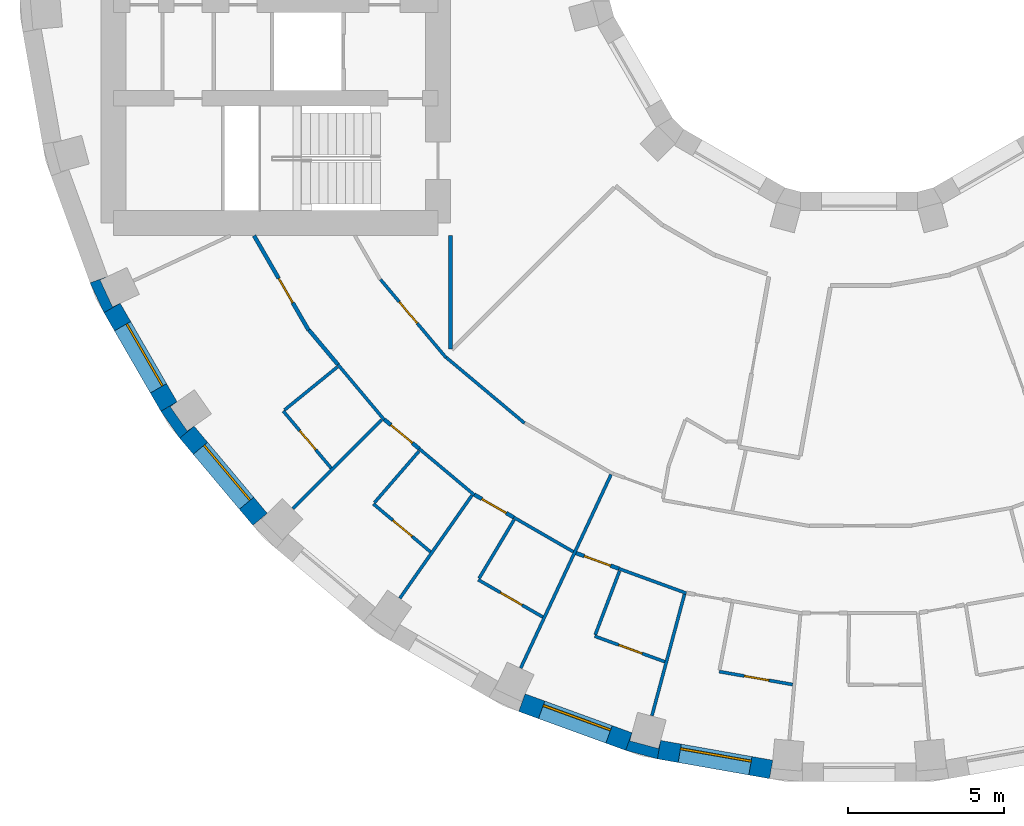
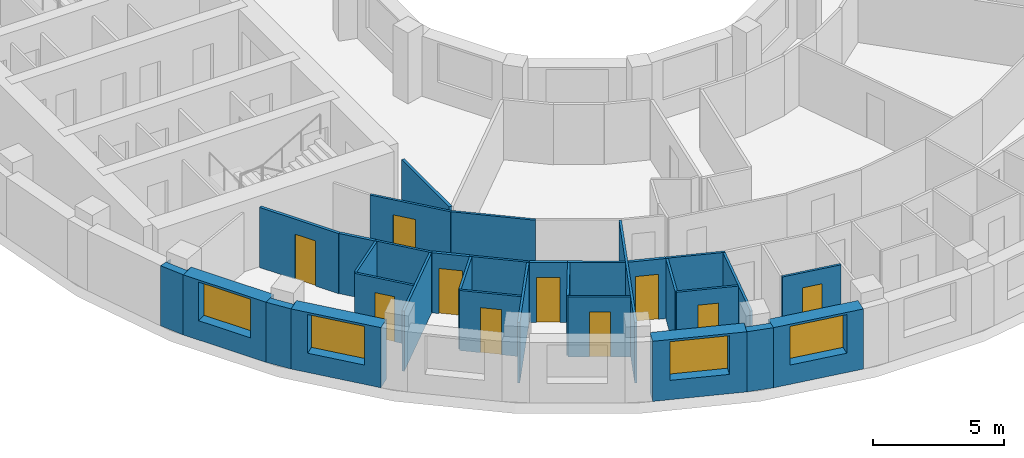
# One storey, part 4 of 14: 32 walls, 10 doors, 4 windows, 14 openings.
"""IFC4 building model written with IfcOpenShell, lengths in metres."""

import ifcopenshell
import ifcopenshell.guid

model = None  # the IFC model being written
_history = None  # IfcOwnerHistory: only IFC2X3 demands one
_inside = {}  # id of a spatial element -> (the spatial element, [elements in it])
_under = {}  # id of a project, library or spatial element -> (it, [spatial elements below it])
_declared = {}  # id of a project -> (the project, [libraries it declares])
_typed = {}  # id of a type object -> (the type object, [elements of that type])
_made_of = {}  # id of a material, layer set ... -> (it, [elements and type objects made of it])


def new_model(schema):
    """Start an empty IFC model of exactly this schema.

    Asked for "IFC4X3", IfcOpenShell would pick the latest addendum, in which some entities
    have other attributes; the version numbers below select the first issue.
    IFC2X3 requires an IfcOwnerHistory on every rooted entity: one is made here for all.
    """
    global model, _history
    if schema == "IFC4X3":
        model = ifcopenshell.file(schema_version=(4, 3, 0, 0))
    else:
        model = ifcopenshell.file(schema=schema)
    _inside.clear()
    _under.clear()
    _declared.clear()
    _typed.clear()
    _made_of.clear()
    _history = None
    if model.schema == "IFC2X3":
        org = make("IfcOrganization", Name="unknown")
        user = make(
            "IfcPersonAndOrganization",
            ThePerson=make("IfcPerson", FamilyName="unknown"),
            TheOrganization=org,
        )
        app = make(
            "IfcApplication",
            ApplicationDeveloper=org,
            Version="unknown",
            ApplicationFullName="unknown",
            ApplicationIdentifier="unknown",
        )
        _history = make(
            "IfcOwnerHistory",
            OwningUser=user,
            OwningApplication=app,
            ChangeAction="ADDED",
            CreationDate=0,
        )
    return model


def make(cls, **values):
    """One entity of the class cls with the attributes given. An attribute that is None is left unset."""
    return model.create_entity(
        cls, **{name: value for name, value in values.items() if value is not None}
    )


def rooted(cls, **values):
    """An entity with a GlobalId (a new one), such as an element, a storey or a relation."""
    return make(cls, GlobalId=ifcopenshell.guid.new(), OwnerHistory=_history, **values)


def si_unit(unit_type, name, prefix=None):
    """IfcSIUnit, for example si_unit("LENGTHUNIT", "METRE", prefix="MILLI")."""
    return make("IfcSIUnit", UnitType=unit_type, Prefix=prefix, Name=name)


def assignment(units):
    """IfcUnitAssignment: the units of a project."""
    return None if units is None else make("IfcUnitAssignment", Units=units)


def point(xyz):
    """IfcCartesianPoint."""
    return None if xyz is None else make("IfcCartesianPoint", Coordinates=xyz)


def direction(xyz):
    """IfcDirection."""
    return None if xyz is None else make("IfcDirection", DirectionRatios=xyz)


def frame(location, z_axis=None, x_axis=None):
    """IfcAxis2Placement3D, a coordinate frame: its origin and axes. An axis left out is left unset."""
    return make(
        "IfcAxis2Placement3D",
        Location=point(location),
        Axis=direction(z_axis),
        RefDirection=direction(x_axis),
    )


def frame_2d(location, x_axis=None):
    """IfcAxis2Placement2D, a coordinate frame in the plane: its origin and x axis."""
    return make(
        "IfcAxis2Placement2D", Location=point(location), RefDirection=direction(x_axis)
    )


def origin():
    """The frame at (0, 0, 0) with its axes left unset."""
    return frame((0.0, 0.0, 0.0))


def place(relative_to, where):
    """IfcLocalPlacement: puts the frame where relative to a parent placement (None: the world)."""
    return make(
        "IfcLocalPlacement", PlacementRelTo=relative_to, RelativePlacement=where
    )


def context(
    kind, dimensions, precision=None, world=None, true_north=None, identifier=None
):
    """IfcGeometricRepresentationContext, for example the 3D "Model" context."""
    return make(
        "IfcGeometricRepresentationContext",
        ContextIdentifier=identifier,
        ContextType=kind,
        CoordinateSpaceDimension=dimensions,
        Precision=precision,
        WorldCoordinateSystem=world,
        TrueNorth=true_north,
    )


def subcontext(parent, identifier, kind, view, scale=None):
    """IfcGeometricRepresentationSubContext, for example "Body" below "Model"."""
    return make(
        "IfcGeometricRepresentationSubContext",
        ContextIdentifier=identifier,
        ContextType=kind,
        ParentContext=parent,
        TargetScale=scale,
        TargetView=view,
    )


def project(units=None, contexts=None):
    """IfcProject with its units and contexts."""
    return rooted(
        "IfcProject",
        Name="project",
        RepresentationContexts=contexts,
        UnitsInContext=assignment(units),
    )


def spatial(cls, under=None, at=None, **own):
    """A site, building, storey or space (cls), placed at a placement, below another one or the project."""
    s = rooted(cls, ObjectPlacement=at, **own)
    if under is not None:
        _under.setdefault(under.id(), (under, []))[1].append(s)
    return s


def polyline(points):
    """IfcPolyline through the points."""
    return make("IfcPolyline", Points=[point(p) for p in points])


def profile(cls, at=None, kind="AREA", **sizes):
    """A parametric profile (cls). Its sizes go by their IFC names, for example OverallWidth=200.0."""
    return make(cls, ProfileType=kind, Position=at, **sizes)


def rectangle(**sizes):
    """IfcRectangleProfileDef."""
    return profile("IfcRectangleProfileDef", **sizes)


def outline(outer, holes=None, kind="AREA"):
    """IfcArbitraryClosedProfileDef: a profile drawn as a closed curve; with holes, ...WithVoids."""
    if holes is None:
        return make("IfcArbitraryClosedProfileDef", ProfileType=kind, OuterCurve=outer)
    return make(
        "IfcArbitraryProfileDefWithVoids",
        ProfileType=kind,
        OuterCurve=outer,
        InnerCurves=holes,
    )


def extrude(swept, where, along, depth):
    """IfcExtrudedAreaSolid: the profile swept, set in the frame where, extruded along a direction by depth."""
    return make(
        "IfcExtrudedAreaSolid",
        SweptArea=swept,
        Position=where,
        ExtrudedDirection=direction(along),
        Depth=depth,
    )


def shape(context_of_items, identifier, shape_type, items):
    """IfcShapeRepresentation: the items that make up one representation, for example the "Body"."""
    return make(
        "IfcShapeRepresentation",
        ContextOfItems=context_of_items,
        RepresentationIdentifier=identifier,
        RepresentationType=shape_type,
        Items=items,
    )


def material(Name=None, Category=None):
    """IfcMaterial."""
    return make("IfcMaterial", Name=Name, Category=Category)


def layer(
    of_material, thickness, ventilated=None, Name=None, Category=None, Priority=None
):
    """IfcMaterialLayer: one layer of a wall or slab, of a material (None: an air gap)."""
    return make(
        "IfcMaterialLayer",
        Material=of_material,
        LayerThickness=thickness,
        IsVentilated=ventilated,
        Name=Name,
        Category=Category,
        Priority=Priority,
    )


def layer_set(layers, Name=None):
    """IfcMaterialLayerSet."""
    return make("IfcMaterialLayerSet", MaterialLayers=layers, LayerSetName=Name)


def made_of(thing, what):
    """Note that an element or type object is made of a material, layer set ...; save() writes the relation."""
    if what is not None:
        _made_of.setdefault(what.id(), (what, []))[1].append(thing)
    return thing


def type_object(cls, material=None, **own):
    """A type object (cls), such as IfcWallType, which elements share."""
    return made_of(rooted(cls, **own), material)


def element(
    cls,
    number,
    at=None,
    inside=None,
    cuts=None,
    type_object=None,
    material=None,
    context=None,
    identifier="Body",
    shape_type=None,
    held_by="IfcProductDefinitionShape",
    body=None,
    shapes=None,
    **own,
):
    """One element of the class cls, such as IfcWall. Its Tag is "e" and its number.

    at: its placement. inside: the storey or other place that contains it. cuts: it is an
    opening in that element (IfcRelVoidsElement). A single representation is given by context,
    identifier, shape_type and body (its items); several are given by shapes. held_by: the class
    of the entity that holds the representations. save() writes the other relations.
    """
    e = rooted(cls, Tag="e%d" % number, ObjectPlacement=at, **own)
    if body is not None:
        shapes = [shape(context, identifier, shape_type, body)]
    if shapes is not None:
        e.Representation = make(held_by, Representations=shapes)
    if inside is not None:
        _inside.setdefault(inside.id(), (inside, []))[1].append(e)
    if cuts is not None:
        rooted(
            "IfcRelVoidsElement", RelatingBuildingElement=cuts, RelatedOpeningElement=e
        )
    if type_object is not None:
        _typed.setdefault(type_object.id(), (type_object, []))[1].append(e)
    return made_of(e, material)


def fill(opening, filler):
    """IfcRelFillsElement: the door or window that sits in an opening."""
    return rooted(
        "IfcRelFillsElement",
        RelatingOpeningElement=opening,
        RelatedBuildingElement=filler,
    )


def aggregate(whole, parts):
    """IfcRelAggregates: a whole, such as a stair, and the parts it consists of."""
    return rooted("IfcRelAggregates", RelatingObject=whole, RelatedObjects=parts)


def save(model, path):
    """Write the relations noted so far, then the file.

    IfcRelAggregates (storeys below a building ...), IfcRelContainedInSpatialStructure (elements
    in a storey), IfcRelDefinesByType, IfcRelAssociatesMaterial and IfcRelDeclares: one each for
    every whole, place, type object, material and project.
    """
    for whole, parts in _under.values():
        aggregate(whole, parts)
    for where, things in _inside.values():
        rooted(
            "IfcRelContainedInSpatialStructure",
            RelatedElements=things,
            RelatingStructure=where,
        )
    for kind, things in _typed.values():
        rooted("IfcRelDefinesByType", RelatedObjects=things, RelatingType=kind)
    for what, things in _made_of.values():
        rooted("IfcRelAssociatesMaterial", RelatedObjects=things, RelatingMaterial=what)
    for by, libraries in _declared.values():
        rooted("IfcRelDeclares", RelatingContext=by, RelatedDefinitions=libraries)
    model.write(path)


model = new_model("IFC4")

# Units and contexts
model_context = context("Model", 3, precision=1e-05, world=origin(), true_north=direction((0.0, 1.0)))
body_context = subcontext(model_context, "Body", "Model", "MODEL_VIEW")
ifc_project = project(units=[si_unit("LENGTHUNIT", "METRE"), si_unit("AREAUNIT", "SQUARE_METRE"), si_unit("VOLUMEUNIT", "CUBIC_METRE"), si_unit("PLANEANGLEUNIT", "RADIAN"), si_unit("MASSUNIT", "GRAM", prefix="KILO")], contexts=[model_context])

# Site, building, storey
site_placement = place(None, origin())
site = spatial("IfcSite", under=ifc_project, at=site_placement, CompositionType="ELEMENT")
building_placement = place(site_placement, origin())
building = spatial("IfcBuilding", under=site, at=building_placement, Name="Saqina Gate Tower", CompositionType="ELEMENT")
storey_placement = place(building_placement, frame((0.0, 0.0, 91.89990234375)))
storey = spatial("IfcBuildingStorey", under=building, at=storey_placement, Name="L25", CompositionType="ELEMENT", Elevation=91.89990234375)

# Walls
ifc_material_1 = material(Name="Brick masonry (buff)", Category="masonry")
wall_type_1 = type_object("IfcWallType", Name="BRICK PIER COPING BUFF", PredefinedType="SOLIDWALL", material=ifc_material_1)
wall_1_placement = place(storey_placement, origin())
element("IfcWall", 1, at=wall_1_placement, inside=storey, type_object=wall_type_1, Name="Pier cap L25 column 21", PredefinedType="SOLIDWALL", context=body_context, shape_type="SweptSolid", body=[
    extrude(outline(polyline([(-24.6513671875, -10.913330078125), (-24.205810546875, -11.869140625), (-23.68603515625, -11.569091796875), (-23.9296875, -11.6826171875), (-24.331298828125, -10.82177734375), (-24.08740234375, -10.7080078125), (-24.6513671875, -10.913330078125)])), origin(), (0.0, 0.0, 1.0), 2.800048828125),
])
wall_2_placement = place(storey_placement, origin())
element("IfcWall", 2, at=wall_2_placement, inside=storey, type_object=wall_type_1, Name="Pier cap L25 column 22", PredefinedType="SOLIDWALL", context=body_context, shape_type="SweptSolid", body=[
    extrude(outline(polyline([(-21.77685546875, -15.89208984375), (-21.317138671875, -15.50634765625), (-21.53759765625, -15.66064453125), (-22.08251953125, -14.88232421875), (-21.862060546875, -14.728271484375), (-22.3818359375, -15.0283203125), (-21.77685546875, -15.89208984375)])), origin(), (0.0, 0.0, 1.0), 2.800048828125),
])
wall_3_placement = place(storey_placement, origin())
element("IfcWall", 3, at=wall_3_placement, inside=storey, type_object=wall_type_1, Name="Pier cap L25 column 26", PredefinedType="SOLIDWALL", context=body_context, shape_type="SweptSolid", body=[
    extrude(outline(polyline([(-7.485595703125, -25.89892578125), (-6.466796875, -26.171875), (-6.36279296875, -25.5810546875), (-6.43212890625, -25.8408203125), (-7.349853515625, -25.5947265625), (-7.2802734375, -25.335205078125), (-7.485595703125, -25.89892578125)])), origin(), (0.0, 0.0, 1.0), 2.800048828125),
])

# Wall, opening, window
ifc_material_2 = material(Name="Brick masonry (buff)", Category="masonry")
ifc_layer_1 = layer(ifc_material_2, 0.60009765625)
ifc_layer_set_1 = layer_set([ifc_layer_1], Name="FW-BRICK-BUFF")
wall_type_2 = type_object("IfcWallType", Name="FW-BRICK-BUFF", PredefinedType="SOLIDWALL", material=ifc_layer_set_1)
wall_4_placement = place(storey_placement, frame((-23.94580078125, -11.718994140625, 0.0), z_axis=(0.0, 0.0, 1.0), x_axis=(0.499954196102, -0.866051847062, 0.0)))
wall_4 = element("IfcWall", 4, at=wall_4_placement, inside=storey, type_object=wall_type_2, Name="Facade wall L25 facet 21", PredefinedType="SOLIDWALL", context=body_context, shape_type="SweptSolid", body=[
    extrude(rectangle(XDim=3.647705078125, YDim=0.60009765625, at=frame_2d((1.82373046875, 0.0))), origin(), (0.0, 0.0, 1.0), 2.800048828125),
])
opening_1_placement = place(wall_4_placement, frame((0.673828125, 0.0, 0.89990234375)))
opening_1 = element("IfcOpeningElement", 5, at=opening_1_placement, cuts=wall_4, Name="Opening G07-W10", PredefinedType="OPENING", context=body_context, shape_type="SweptSolid", body=[
    extrude(rectangle(XDim=2.300048828125, YDim=1.800048828125, at=frame_2d((1.14990234375, 0.89990234375))), frame((0.0, 0.31201171875, 0.0), z_axis=(0.0, -1.0, 0.0), x_axis=(1.0, 0.0, 0.0)), (0.0, 0.0, 1.0), 0.6240234375),
])
ifc_material_3 = material(Name="Aluminium glazing", Category="aluminium")
window_type = type_object("IfcWindowType", Name="WN-B", PartitioningType="SINGLE_PANEL", PredefinedType="WINDOW", material=ifc_material_3)
window_1_placement = place(opening_1_placement, origin())
window_1 = element("IfcWindow", 6, at=window_1_placement, inside=storey, type_object=window_type, Name="Window L25 facet 21", OverallHeight=1.800048828125, OverallWidth=2.300048828125, PartitioningType="SINGLE_PANEL", PredefinedType="WINDOW", context=body_context, shape_type="SweptSolid", body=[
    extrude(rectangle(XDim=2.300048828125, YDim=1.800048828125, at=frame_2d((1.14990234375, 0.89990234375))), frame((0.0, 0.179931640625, 0.0), z_axis=(0.0, -1.0, 0.0), x_axis=(1.0, 0.0, 0.0)), (0.0, 0.0, 1.0), 0.06005859375),
])
fill(opening_1, window_1)

wall_5_placement = place(storey_placement, frame((-21.547119140625, -15.69921875, 0.0), z_axis=(0.0, 0.0, 1.0), x_axis=(0.642774476932, -0.766055462616, 0.0)))
wall_5 = element("IfcWall", 7, at=wall_5_placement, inside=storey, type_object=wall_type_2, Name="Facade wall L25 facet 22", PredefinedType="SOLIDWALL", context=body_context, shape_type="SweptSolid", body=[
    extrude(rectangle(XDim=3.647705078125, YDim=0.60009765625, at=frame_2d((1.82373046875, 0.0))), origin(), (0.0, 0.0, 1.0), 2.800048828125),
])
opening_2_placement = place(wall_5_placement, frame((0.673828125, 0.0, 0.89990234375)))
opening_2 = element("IfcOpeningElement", 8, at=opening_2_placement, cuts=wall_5, Name="Opening G07-W11", PredefinedType="OPENING", context=body_context, shape_type="SweptSolid", body=[
    extrude(rectangle(XDim=2.300048828125, YDim=1.800048828125, at=frame_2d((1.14990234375, 0.89990234375))), frame((0.0, 0.31201171875, 0.0), z_axis=(0.0, -1.0, 0.0), x_axis=(1.0, 0.0, 0.0)), (0.0, 0.0, 1.0), 0.6240234375),
])
window_2_placement = place(opening_2_placement, origin())
window_2 = element("IfcWindow", 9, at=window_2_placement, inside=storey, type_object=window_type, Name="Window L25 facet 22", OverallHeight=1.800048828125, OverallWidth=2.300048828125, PartitioningType="SINGLE_PANEL", PredefinedType="WINDOW", context=body_context, shape_type="SweptSolid", body=[
    extrude(rectangle(XDim=2.300048828125, YDim=1.800048828125, at=frame_2d((1.14990234375, 0.89990234375))), frame((0.0, 0.179931640625, 0.0), z_axis=(0.0, -1.0, 0.0), x_axis=(1.0, 0.0, 0.0)), (0.0, 0.0, 1.0), 0.06005859375),
])
fill(opening_2, window_2)

wall_6_placement = place(storey_placement, frame((-10.810791015625, -24.369384765625, 0.0), z_axis=(0.0, 0.0, 1.0), x_axis=(0.939703505393, -0.341990236633, 0.0)))
wall_6 = element("IfcWall", 10, at=wall_6_placement, inside=storey, type_object=wall_type_2, Name="Facade wall L25 facet 25", PredefinedType="SOLIDWALL", context=body_context, shape_type="SweptSolid", body=[
    extrude(rectangle(XDim=3.64794921875, YDim=0.60009765625, at=frame_2d((1.823974609375, 0.0))), origin(), (0.0, 0.0, 1.0), 2.800048828125),
])
opening_3_placement = place(wall_6_placement, frame((0.673828125, 0.0, 0.89990234375)))
opening_3 = element("IfcOpeningElement", 11, at=opening_3_placement, cuts=wall_6, Name="Opening G07-W14", PredefinedType="OPENING", context=body_context, shape_type="SweptSolid", body=[
    extrude(rectangle(XDim=2.300048828125, YDim=1.800048828125, at=frame_2d((1.14990234375, 0.89990234375))), frame((0.0, 0.31201171875, 0.0), z_axis=(0.0, -1.0, 0.0), x_axis=(1.0, 0.0, 0.0)), (0.0, 0.0, 1.0), 0.6240234375),
])
window_3_placement = place(opening_3_placement, origin())
window_3 = element("IfcWindow", 12, at=window_3_placement, inside=storey, type_object=window_type, Name="Window L25 facet 25", OverallHeight=1.800048828125, OverallWidth=2.300048828125, PartitioningType="SINGLE_PANEL", PredefinedType="WINDOW", context=body_context, shape_type="SweptSolid", body=[
    extrude(rectangle(XDim=2.300048828125, YDim=1.800048828125, at=frame_2d((1.14990234375, 0.89990234375))), frame((0.0, 0.179931640625, 0.0), z_axis=(0.0, -1.0, 0.0), x_axis=(1.0, 0.0, 0.0)), (0.0, 0.0, 1.0), 0.06005859375),
])
fill(opening_3, window_3)

wall_7_placement = place(storey_placement, frame((-6.414794921875, -25.87646484375, 0.0), z_axis=(0.0, 0.0, 1.0), x_axis=(0.984803764455, -0.173670796382, 0.0)))
wall_7 = element("IfcWall", 13, at=wall_7_placement, inside=storey, type_object=wall_type_2, Name="Facade wall L25 facet 26", PredefinedType="SOLIDWALL", context=body_context, shape_type="SweptSolid", body=[
    extrude(rectangle(XDim=3.64794921875, YDim=0.60009765625, at=frame_2d((1.823974609375, 0.0))), origin(), (0.0, 0.0, 1.0), 2.800048828125),
])
opening_4_placement = place(wall_7_placement, frame((0.673828125, 0.0, 0.89990234375)))
opening_4 = element("IfcOpeningElement", 14, at=opening_4_placement, cuts=wall_7, Name="Opening G07-W15", PredefinedType="OPENING", context=body_context, shape_type="SweptSolid", body=[
    extrude(rectangle(XDim=2.300048828125, YDim=1.800048828125, at=frame_2d((1.14990234375, 0.89990234375))), frame((0.0, 0.31201171875, 0.0), z_axis=(0.0, -1.0, 0.0), x_axis=(1.0, 0.0, 0.0)), (0.0, 0.0, 1.0), 0.6240234375),
])
window_4_placement = place(opening_4_placement, origin())
window_4 = element("IfcWindow", 15, at=window_4_placement, inside=storey, type_object=window_type, Name="Window L25 facet 26", OverallHeight=1.800048828125, OverallWidth=2.300048828125, PartitioningType="SINGLE_PANEL", PredefinedType="WINDOW", context=body_context, shape_type="SweptSolid", body=[
    extrude(rectangle(XDim=2.300048828125, YDim=1.800048828125, at=frame_2d((1.14990234375, 0.89990234375))), frame((0.0, 0.179931640625, 0.0), z_axis=(0.0, -1.0, 0.0), x_axis=(1.0, 0.0, 0.0)), (0.0, 0.0, 1.0), 0.06005859375),
])
fill(opening_4, window_4)

# Wall, opening, door
ifc_material_4 = material(Name="Gypsum board on steel studs, 100 mm", Category="steel")
ifc_layer_2 = layer(ifc_material_4, 0.10009765625)
ifc_layer_set_2 = layer_set([ifc_layer_2], Name="PARTITION 100")
wall_type_3 = type_object("IfcWallType", Name="PARTITION 100", PredefinedType="PARTITIONING", material=ifc_layer_set_2)
wall_8_placement = place(storey_placement, frame((-18.4599609375, -15.02197265625, 0.0), z_axis=(0.0, 0.0, 1.0), x_axis=(0.642942941421, -0.765914077477, 0.0)))
wall_8 = element("IfcWall", 16, at=wall_8_placement, inside=storey, type_object=wall_type_3, Name="PARTITION PW3-16", PredefinedType="PARTITIONING", context=body_context, shape_type="SweptSolid", body=[
    extrude(rectangle(XDim=2.390380859375, YDim=0.10009765625, at=frame_2d((1.1953125, 0.0))), origin(), (0.0, 0.0, 1.0), 2.800048828125),
])
opening_5_placement = place(wall_8_placement, frame((0.82080078125, 0.0, 0.0)))
opening_5 = element("IfcOpeningElement", 17, at=opening_5_placement, cuts=wall_8, Name="Opening G07-D26", PredefinedType="OPENING", context=body_context, shape_type="SweptSolid", body=[
    extrude(rectangle(XDim=0.800048828125, YDim=2.10009765625, at=frame_2d((0.39990234375, 1.050048828125))), frame((0.0, 0.06201171875, 0.0), z_axis=(0.0, -1.0, 0.0), x_axis=(1.0, 0.0, 0.0)), (0.0, 0.0, 1.0), 0.1240234375),
])
ifc_material_5 = material(Name="Timber door leaf, 800 mm", Category="wood")
door_type_1 = type_object("IfcDoorType", Name="DOOR 800 TIMBER", OperationType="SINGLE_SWING_LEFT", PredefinedType="DOOR", material=ifc_material_5)
door_1_placement = place(opening_5_placement, frame((0.800048828125, 0.0, 0.0), z_axis=(0.0, 0.0, 1.0), x_axis=(-1.0, 0.0, 0.0)))
door_1 = element("IfcDoor", 18, at=door_1_placement, inside=storey, type_object=door_type_1, Name="DOOR G07-D26", OperationType="SINGLE_SWING_LEFT", OverallHeight=2.10009765625, OverallWidth=0.800048828125, PredefinedType="DOOR", context=body_context, shape_type="SweptSolid", body=[
    extrude(rectangle(XDim=0.800048828125, YDim=2.10009765625, at=frame_2d((0.39990234375, 1.050048828125))), frame((0.0, 0.02490234375, 0.0), z_axis=(0.0, -1.0, 0.0), x_axis=(1.0, 0.0, 0.0)), (0.0, 0.0, 1.0), 0.050048828125),
])
fill(opening_5, door_1)

# Wall
wall_9_placement = place(storey_placement, frame((-16.708251953125, -13.53173828125, 0.0), z_axis=(0.0, 0.0, 1.0), x_axis=(0.642762571273, -0.766065452145, 0.0)))
element("IfcWall", 19, at=wall_9_placement, inside=storey, type_object=wall_type_3, Name="PARTITION PW3-17", PredefinedType="PARTITIONING", context=body_context, shape_type="SweptSolid", body=[
    extrude(rectangle(XDim=2.306640625, YDim=0.10009765625, at=frame_2d((1.1533203125, 0.0))), origin(), (0.0, 0.0, 1.0), 2.800048828125),
])

# Wall, opening, door
wall_10_placement = place(storey_placement, frame((-15.34375, -10.80419921875, 0.0), z_axis=(0.0, 0.0, 1.0), x_axis=(0.642602374159, -0.766199836025, 0.0)))
wall_10 = element("IfcWall", 20, at=wall_10_placement, inside=storey, type_object=wall_type_3, Name="PARTITION PW3-18", PredefinedType="PARTITIONING", context=body_context, shape_type="SweptSolid", body=[
    extrude(rectangle(XDim=3.27294921875, YDim=0.10009765625, at=frame_2d((1.636474609375, 0.0))), origin(), (0.0, 0.0, 1.0), 2.800048828125),
])
opening_6_placement = place(wall_10_placement, frame((0.93603515625, 0.0, 0.0)))
opening_6 = element("IfcOpeningElement", 21, at=opening_6_placement, cuts=wall_10, Name="Opening G07-D25", PredefinedType="OPENING", context=body_context, shape_type="SweptSolid", body=[
    extrude(rectangle(XDim=0.89990234375, YDim=2.10009765625, at=frame_2d((0.449951171875, 1.050048828125))), frame((0.0, 0.06201171875, 0.0), z_axis=(0.0, -1.0, 0.0), x_axis=(1.0, 0.0, 0.0)), (0.0, 0.0, 1.0), 0.1240234375),
])
ifc_material_6 = material(Name="Timber door leaf, 900 mm", Category="wood")
door_type_2 = type_object("IfcDoorType", Name="DOOR 900 TIMBER", OperationType="SINGLE_SWING_LEFT", PredefinedType="DOOR", material=ifc_material_6)
door_2_placement = place(opening_6_placement, origin())
door_2 = element("IfcDoor", 22, at=door_2_placement, inside=storey, type_object=door_type_2, Name="DOOR G07-D25", OperationType="SINGLE_SWING_RIGHT", OverallHeight=2.10009765625, OverallWidth=0.89990234375, PredefinedType="DOOR", context=body_context, shape_type="SweptSolid", body=[
    extrude(rectangle(XDim=0.89990234375, YDim=2.10009765625, at=frame_2d((0.449951171875, 1.050048828125))), frame((0.0, 0.02490234375, 0.0), z_axis=(0.0, -1.0, 0.0), x_axis=(1.0, 0.0, 0.0)), (0.0, 0.0, 1.0), 0.050048828125),
])
fill(opening_6, door_2)

wall_11_placement = place(storey_placement, frame((-15.571044921875, -17.9990234375, 0.0), z_axis=(0.0, 0.0, 1.0), x_axis=(0.765914077477, -0.642942941421, 0.0)))
wall_11 = element("IfcWall", 23, at=wall_11_placement, inside=storey, type_object=wall_type_3, Name="PARTITION PW3-23", PredefinedType="PARTITIONING", context=body_context, shape_type="SweptSolid", body=[
    extrude(rectangle(XDim=2.390380859375, YDim=0.10009765625, at=frame_2d((1.1953125, 0.0))), origin(), (0.0, 0.0, 1.0), 2.800048828125),
])
opening_7_placement = place(wall_11_placement, frame((0.820068359375, 0.0, 0.0)))
opening_7 = element("IfcOpeningElement", 24, at=opening_7_placement, cuts=wall_11, Name="Opening G07-D28", PredefinedType="OPENING", context=body_context, shape_type="SweptSolid", body=[
    extrude(rectangle(XDim=0.800048828125, YDim=2.10009765625, at=frame_2d((0.39990234375, 1.050048828125))), frame((0.0, 0.06201171875, 0.0), z_axis=(0.0, -1.0, 0.0), x_axis=(1.0, 0.0, 0.0)), (0.0, 0.0, 1.0), 0.1240234375),
])
door_3_placement = place(opening_7_placement, frame((0.800048828125, 0.0, 0.0), z_axis=(0.0, 0.0, 1.0), x_axis=(-1.0, 0.0, 0.0)))
door_3 = element("IfcDoor", 25, at=door_3_placement, inside=storey, type_object=door_type_1, Name="DOOR G07-D28", OperationType="SINGLE_SWING_LEFT", OverallHeight=2.10009765625, OverallWidth=0.800048828125, PredefinedType="DOOR", context=body_context, shape_type="SweptSolid", body=[
    extrude(rectangle(XDim=0.800048828125, YDim=2.10009765625, at=frame_2d((0.39990234375, 1.050048828125))), frame((0.0, 0.02490234375, 0.0), z_axis=(0.0, -1.0, 0.0), x_axis=(1.0, 0.0, 0.0)), (0.0, 0.0, 1.0), 0.050048828125),
])
fill(opening_7, door_3)

# Walls
wall_12_placement = place(storey_placement, frame((-14.104248046875, -16.227783203125, 0.0), z_axis=(0.0, 0.0, 1.0), x_axis=(0.76604687987, -0.642784705669, 0.0)))
element("IfcWall", 26, at=wall_12_placement, inside=storey, type_object=wall_type_3, Name="PARTITION PW3-24", PredefinedType="PARTITIONING", context=body_context, shape_type="SweptSolid", body=[
    extrude(rectangle(XDim=2.305419921875, YDim=0.10009765625, at=frame_2d((1.15283203125, 0.0))), origin(), (0.0, 0.0, 1.0), 2.800048828125),
])
wall_13_placement = place(storey_placement, frame((-13.234619140625, -13.30517578125, 0.0), z_axis=(0.0, 0.0, 1.0), x_axis=(0.766132303871, -0.642682886784, 0.0)))
element("IfcWall", 27, at=wall_13_placement, inside=storey, type_object=wall_type_3, Name="PARTITION PW3-25", PredefinedType="PARTITIONING", context=body_context, shape_type="SweptSolid", body=[
    extrude(rectangle(XDim=3.27294921875, YDim=0.10009765625, at=frame_2d((1.636474609375, 0.0))), origin(), (0.0, 0.0, 1.0), 2.800048828125),
])

# Wall, opening, door
wall_14_placement = place(storey_placement, frame((-12.208984375, -20.429931640625, 0.0), z_axis=(0.0, 0.0, 1.0), x_axis=(0.865989934965, -0.500061428766, 0.0)))
wall_14 = element("IfcWall", 28, at=wall_14_placement, inside=storey, type_object=wall_type_3, Name="PARTITION PW3-30", PredefinedType="PARTITIONING", context=body_context, shape_type="SweptSolid", body=[
    extrude(rectangle(XDim=2.389892578125, YDim=0.10009765625, at=frame_2d((1.19482421875, 0.0))), origin(), (0.0, 0.0, 1.0), 2.800048828125),
])
opening_8_placement = place(wall_14_placement, frame((0.820068359375, 0.0, 0.0)))
opening_8 = element("IfcOpeningElement", 29, at=opening_8_placement, cuts=wall_14, Name="Opening G07-D30", PredefinedType="OPENING", context=body_context, shape_type="SweptSolid", body=[
    extrude(rectangle(XDim=0.800048828125, YDim=2.10009765625, at=frame_2d((0.39990234375, 1.050048828125))), frame((0.0, 0.06201171875, 0.0), z_axis=(0.0, -1.0, 0.0), x_axis=(1.0, 0.0, 0.0)), (0.0, 0.0, 1.0), 0.1240234375),
])
door_4_placement = place(opening_8_placement, frame((0.800048828125, 0.0, 0.0), z_axis=(0.0, 0.0, 1.0), x_axis=(-1.0, 0.0, 0.0)))
door_4 = element("IfcDoor", 30, at=door_4_placement, inside=storey, type_object=door_type_1, Name="DOOR G07-D30", OperationType="SINGLE_SWING_LEFT", OverallHeight=2.10009765625, OverallWidth=0.800048828125, PredefinedType="DOOR", context=body_context, shape_type="SweptSolid", body=[
    extrude(rectangle(XDim=0.800048828125, YDim=2.10009765625, at=frame_2d((0.39990234375, 1.050048828125))), frame((0.0, 0.02490234375, 0.0), z_axis=(0.0, -1.0, 0.0), x_axis=(1.0, 0.0, 0.0)), (0.0, 0.0, 1.0), 0.050048828125),
])
fill(opening_8, door_4)

# Wall
wall_15_placement = place(storey_placement, frame((-11.072265625, -18.429931640625, 0.0), z_axis=(0.0, 0.0, 1.0), x_axis=(0.865848017448, -0.500307116361, 0.0)))
element("IfcWall", 31, at=wall_15_placement, inside=storey, type_object=wall_type_3, Name="PARTITION PW3-31", PredefinedType="PARTITIONING", context=body_context, shape_type="SweptSolid", body=[
    extrude(rectangle(XDim=2.20458984375, YDim=0.10009765625, at=frame_2d((1.102294921875, 0.0))), origin(), (0.0, 0.0, 1.0), 2.800048828125),
])

# Wall, opening, door
wall_16_placement = place(storey_placement, frame((-8.47607421875, -22.239013671875, 0.0), z_axis=(0.0, 0.0, 1.0), x_axis=(0.939644231496, -0.342153062556, 0.0)))
wall_16 = element("IfcWall", 32, at=wall_16_placement, inside=storey, type_object=wall_type_3, Name="PARTITION PW3-36", PredefinedType="PARTITIONING", context=body_context, shape_type="SweptSolid", body=[
    extrude(rectangle(XDim=2.390380859375, YDim=0.10009765625, at=frame_2d((1.1953125, 0.0))), origin(), (0.0, 0.0, 1.0), 2.800048828125),
])
opening_9_placement = place(wall_16_placement, frame((0.8203125, 0.0, 0.0)))
opening_9 = element("IfcOpeningElement", 33, at=opening_9_placement, cuts=wall_16, Name="Opening G07-D33", PredefinedType="OPENING", context=body_context, shape_type="SweptSolid", body=[
    extrude(rectangle(XDim=0.800048828125, YDim=2.10009765625, at=frame_2d((0.39990234375, 1.050048828125))), frame((0.0, 0.06201171875, 0.0), z_axis=(0.0, -1.0, 0.0), x_axis=(1.0, 0.0, 0.0)), (0.0, 0.0, 1.0), 0.1240234375),
])
door_5_placement = place(opening_9_placement, frame((0.800048828125, 0.0, 0.0), z_axis=(0.0, 0.0, 1.0), x_axis=(-1.0, 0.0, 0.0)))
door_5 = element("IfcDoor", 34, at=door_5_placement, inside=storey, type_object=door_type_1, Name="DOOR G07-D33", OperationType="SINGLE_SWING_LEFT", OverallHeight=2.10009765625, OverallWidth=0.800048828125, PredefinedType="DOOR", context=body_context, shape_type="SweptSolid", body=[
    extrude(rectangle(XDim=0.800048828125, YDim=2.10009765625, at=frame_2d((0.39990234375, 1.050048828125))), frame((0.0, 0.02490234375, 0.0), z_axis=(0.0, -1.0, 0.0), x_axis=(1.0, 0.0, 0.0)), (0.0, 0.0, 1.0), 0.050048828125),
])
fill(opening_9, door_5)

# Wall
wall_17_placement = place(storey_placement, frame((-7.7041015625, -20.073486328125, 0.0), z_axis=(0.0, 0.0, 1.0), x_axis=(0.939734670151, -0.34190459154, 0.0)))
element("IfcWall", 35, at=wall_17_placement, inside=storey, type_object=wall_type_3, Name="PARTITION PW3-37", PredefinedType="PARTITIONING", context=body_context, shape_type="SweptSolid", body=[
    extrude(rectangle(XDim=2.3056640625, YDim=0.10009765625, at=frame_2d((1.15283203125, 0.0))), origin(), (0.0, 0.0, 1.0), 2.800048828125),
])

# Wall, opening, door
wall_18_placement = place(storey_placement, frame((-4.486083984375, -23.373046875, 0.0), z_axis=(0.0, 0.0, 1.0), x_axis=(0.984798975022, -0.17369795277, 0.0)))
wall_18 = element("IfcWall", 36, at=wall_18_placement, inside=storey, type_object=wall_type_3, Name="PARTITION PW3-44", PredefinedType="PARTITIONING", context=body_context, shape_type="SweptSolid", body=[
    extrude(rectangle(XDim=2.390869140625, YDim=0.10009765625, at=frame_2d((1.1953125, 0.0))), origin(), (0.0, 0.0, 1.0), 2.800048828125),
])
opening_10_placement = place(wall_18_placement, frame((0.820556640625, 0.0, 0.0)))
opening_10 = element("IfcOpeningElement", 37, at=opening_10_placement, cuts=wall_18, Name="Opening G07-D37", PredefinedType="OPENING", context=body_context, shape_type="SweptSolid", body=[
    extrude(rectangle(XDim=0.800048828125, YDim=2.10009765625, at=frame_2d((0.39990234375, 1.050048828125))), frame((0.0, 0.06201171875, 0.0), z_axis=(0.0, -1.0, 0.0), x_axis=(1.0, 0.0, 0.0)), (0.0, 0.0, 1.0), 0.1240234375),
])
door_6_placement = place(opening_10_placement, frame((0.800048828125, 0.0, 0.0), z_axis=(0.0, 0.0, 1.0), x_axis=(-1.0, 0.0, 0.0)))
door_6 = element("IfcDoor", 38, at=door_6_placement, inside=storey, type_object=door_type_1, Name="DOOR G07-D37", OperationType="SINGLE_SWING_LEFT", OverallHeight=2.10009765625, OverallWidth=0.800048828125, PredefinedType="DOOR", context=body_context, shape_type="SweptSolid", body=[
    extrude(rectangle(XDim=0.800048828125, YDim=2.10009765625, at=frame_2d((0.39990234375, 1.050048828125))), frame((0.0, 0.02490234375, 0.0), z_axis=(0.0, -1.0, 0.0), x_axis=(1.0, 0.0, 0.0)), (0.0, 0.0, 1.0), 0.050048828125),
])
fill(opening_10, door_6)

# Walls
wall_19_placement = place(storey_placement, frame((-18.419189453125, -14.98876953125, 0.0), z_axis=(0.0, 0.0, 1.0), x_axis=(0.775583643893, 0.63124481093, 0.0)))
element("IfcWall", 39, at=wall_19_placement, inside=storey, type_object=wall_type_3, Name="PARTITION PW3-76", PredefinedType="PARTITIONING", context=body_context, shape_type="SweptSolid", body=[
    extrude(rectangle(XDim=2.18359375, YDim=0.10009765625, at=frame_2d((1.091796875, 0.0))), origin(), (0.0, 0.0, 1.0), 2.800048828125),
])
wall_20_placement = place(storey_placement, frame((-18.14794921875, -18.14794921875, 0.0), z_axis=(0.0, 0.0, 1.0), x_axis=(0.707106781187, 0.707106781187, 0.0)))
element("IfcWall", 40, at=wall_20_placement, inside=storey, type_object=wall_type_3, Name="PARTITION PW3-79", PredefinedType="PARTITIONING", context=body_context, shape_type="SweptSolid", body=[
    extrude(rectangle(XDim=4.02294921875, YDim=0.10009765625, at=frame_2d((2.011474609375, 0.0))), origin(), (0.0, 0.0, 1.0), 2.800048828125),
])
wall_21_placement = place(storey_placement, frame((-15.538330078125, -17.961181640625, 0.0), z_axis=(0.0, 0.0, 1.0), x_axis=(0.654433202149, 0.756119821143, 0.0)))
element("IfcWall", 41, at=wall_21_placement, inside=storey, type_object=wall_type_3, Name="PARTITION PW3-81", PredefinedType="PARTITIONING", context=body_context, shape_type="SweptSolid", body=[
    extrude(rectangle(XDim=2.187255859375, YDim=0.10009765625, at=frame_2d((1.09375, 0.0))), origin(), (0.0, 0.0, 1.0), 2.800048828125),
])
wall_22_placement = place(storey_placement, frame((-14.721435546875, -21.02294921875, 0.0), z_axis=(0.0, 0.0, 1.0), x_axis=(0.573849206175, 0.818960981105, 0.0)))
element("IfcWall", 42, at=wall_22_placement, inside=storey, type_object=wall_type_3, Name="PARTITION PW3-85", PredefinedType="PARTITIONING", context=body_context, shape_type="SweptSolid", body=[
    extrude(rectangle(XDim=4.02294921875, YDim=0.10009765625, at=frame_2d((2.011474609375, 0.0))), origin(), (0.0, 0.0, 1.0), 2.800048828125),
])
wall_23_placement = place(storey_placement, frame((-12.183349609375, -20.386962890625, 0.0), z_axis=(0.0, 0.0, 1.0), x_axis=(0.512903306279, 0.85844638645, 0.0)))
element("IfcWall", 43, at=wall_23_placement, inside=storey, type_object=wall_type_3, Name="PARTITION PW3-87", PredefinedType="PARTITIONING", context=body_context, shape_type="SweptSolid", body=[
    extrude(rectangle(XDim=2.188232421875, YDim=0.10009765625, at=frame_2d((1.09423828125, 0.0))), origin(), (0.0, 0.0, 1.0), 2.800048828125),
])
wall_24_placement = place(storey_placement, frame((-10.84765625, -23.260009765625, 0.0), z_axis=(0.0, 0.0, 1.0), x_axis=(0.422908898334, 0.906172204225, 0.0)))
element("IfcWall", 44, at=wall_24_placement, inside=storey, type_object=wall_type_3, Name="PARTITION PW3-90", PredefinedType="PARTITIONING", context=body_context, shape_type="SweptSolid", body=[
    extrude(rectangle(XDim=6.84423828125, YDim=0.10009765625, at=frame_2d((3.422119140625, 0.0))), origin(), (0.0, 0.0, 1.0), 2.800048828125),
])
wall_25_placement = place(storey_placement, frame((-8.458251953125, -22.1923828125, 0.0), z_axis=(0.0, 0.0, 1.0), x_axis=(0.356134598474, 0.93443466747, 0.0)))
element("IfcWall", 45, at=wall_25_placement, inside=storey, type_object=wall_type_3, Name="PARTITION PW3-92", PredefinedType="PARTITIONING", context=body_context, shape_type="SweptSolid", body=[
    extrude(rectangle(XDim=2.186767578125, YDim=0.10009765625, at=frame_2d((1.09326171875, 0.0))), origin(), (0.0, 0.0, 1.0), 2.800048828125),
])
wall_26_placement = place(storey_placement, frame((-6.64208984375, -24.79052734375, 0.0), z_axis=(0.0, 0.0, 1.0), x_axis=(0.258615129659, 0.965980442199, 0.0)))
element("IfcWall", 46, at=wall_26_placement, inside=storey, type_object=wall_type_3, Name="PARTITION PW3-95", PredefinedType="PARTITIONING", context=body_context, shape_type="SweptSolid", body=[
    extrude(rectangle(XDim=4.03564453125, YDim=0.10009765625, at=frame_2d((2.017822265625, 0.0))), origin(), (0.0, 0.0, 1.0), 2.800048828125),
])

# Wall, opening, door
ifc_material_7 = material(Name="Gypsum board on steel studs, 125 mm, fire rated", Category="steel")
ifc_layer_3 = layer(ifc_material_7, 0.125)
ifc_layer_set_3 = layer_set([ifc_layer_3], Name="PARTITION EI 30 125")
wall_type_4 = type_object("IfcWallType", Name="PARTITION EI 30 125", PredefinedType="PARTITIONING", material=ifc_layer_set_3)
wall_27_placement = place(storey_placement, frame((-19.394775390625, -9.40185546875, 0.0), z_axis=(0.0, 0.0, 1.0), x_axis=(0.499726480438, -0.866183262797, 0.0)))
wall_27 = element("IfcWall", 47, at=wall_27_placement, inside=storey, type_object=wall_type_4, Name="PARTITION PW1-02", PredefinedType="PARTITIONING", context=body_context, shape_type="SweptSolid", body=[
    extrude(rectangle(XDim=3.4990234375, YDim=0.125, at=frame_2d((1.74951171875, 0.0))), origin(), (0.0, 0.0, 1.0), 2.800048828125),
])
opening_11_placement = place(wall_27_placement, frame((1.58056640625, 0.0, 0.0)))
opening_11 = element("IfcOpeningElement", 48, at=opening_11_placement, cuts=wall_27, Name="Opening G07-D24", PredefinedType="OPENING", context=body_context, shape_type="SweptSolid", body=[
    extrude(rectangle(XDim=0.89990234375, YDim=2.10009765625, at=frame_2d((0.449951171875, 1.050048828125))), frame((0.0, 0.074462890625, 0.0), z_axis=(0.0, -1.0, 0.0), x_axis=(1.0, 0.0, 0.0)), (0.0, 0.0, 1.0), 0.14892578125),
])
ifc_material_8 = material(Name="Fire door leaf EI 30, 900 mm")
door_type_3 = type_object("IfcDoorType", Name="DOOR 900 EI 30", OperationType="SINGLE_SWING_LEFT", PredefinedType="DOOR", material=ifc_material_8)
door_7_placement = place(opening_11_placement, origin())
door_7 = element("IfcDoor", 49, at=door_7_placement, inside=storey, type_object=door_type_3, Name="DOOR G07-D24", OperationType="SINGLE_SWING_RIGHT", OverallHeight=2.10009765625, OverallWidth=0.89990234375, PredefinedType="DOOR", context=body_context, shape_type="SweptSolid", body=[
    extrude(rectangle(XDim=0.89990234375, YDim=2.10009765625, at=frame_2d((0.449951171875, 1.050048828125))), frame((0.0, 0.02490234375, 0.0), z_axis=(0.0, -1.0, 0.0), x_axis=(1.0, 0.0, 0.0)), (0.0, 0.0, 1.0), 0.050048828125),
])
fill(opening_11, door_7)

# Wall
wall_28_placement = place(storey_placement, frame((-17.63671875, -12.4248046875, 0.0), z_axis=(0.0, 0.0, 1.0), x_axis=(0.642641061866, -0.766167387458, 0.0)))
element("IfcWall", 50, at=wall_28_placement, inside=storey, type_object=wall_type_4, Name="PARTITION PW1-07", PredefinedType="PARTITIONING", context=body_context, shape_type="SweptSolid", body=[
    extrude(rectangle(XDim=1.44482421875, YDim=0.125, at=frame_2d((0.722412109375, 0.0))), origin(), (0.0, 0.0, 1.0), 2.800048828125),
])

# Wall, opening, door
wall_29_placement = place(storey_placement, frame((-15.2197265625, -15.2919921875, 0.0), z_axis=(0.0, 0.0, 1.0), x_axis=(0.766114305984, -0.642704341177, 0.0)))
wall_29 = element("IfcWall", 51, at=wall_29_placement, inside=storey, type_object=wall_type_4, Name="PARTITION PW1-11", PredefinedType="PARTITIONING", context=body_context, shape_type="SweptSolid", body=[
    extrude(rectangle(XDim=1.4560546875, YDim=0.125, at=frame_2d((0.72802734375, 0.0))), origin(), (0.0, 0.0, 1.0), 2.800048828125),
])
opening_12_placement = place(wall_29_placement, frame((0.278076171875, 0.0, 0.0)))
opening_12 = element("IfcOpeningElement", 52, at=opening_12_placement, cuts=wall_29, Name="Opening G07-D27", PredefinedType="OPENING", context=body_context, shape_type="SweptSolid", body=[
    extrude(rectangle(XDim=0.89990234375, YDim=2.10009765625, at=frame_2d((0.449951171875, 1.050048828125))), frame((0.0, 0.074462890625, 0.0), z_axis=(0.0, -1.0, 0.0), x_axis=(1.0, 0.0, 0.0)), (0.0, 0.0, 1.0), 0.14892578125),
])
door_8_placement = place(opening_12_placement, origin())
door_8 = element("IfcDoor", 53, at=door_8_placement, inside=storey, type_object=door_type_3, Name="DOOR G07-D27", OperationType="SINGLE_SWING_LEFT", OverallHeight=2.10009765625, OverallWidth=0.89990234375, PredefinedType="DOOR", context=body_context, shape_type="SweptSolid", body=[
    extrude(rectangle(XDim=0.89990234375, YDim=2.10009765625, at=frame_2d((0.449951171875, 1.050048828125))), frame((0.0, 0.02490234375, 0.0), z_axis=(0.0, -1.0, 0.0), x_axis=(1.0, 0.0, 0.0)), (0.0, 0.0, 1.0), 0.050048828125),
])
fill(opening_12, door_8)

wall_30_placement = place(storey_placement, frame((-12.333740234375, -17.701904296875, 0.0), z_axis=(0.0, 0.0, 1.0), x_axis=(0.866110229381, -0.499853048967, 0.0)))
wall_30 = element("IfcWall", 54, at=wall_30_placement, inside=storey, type_object=wall_type_4, Name="PARTITION PW1-15", PredefinedType="PARTITIONING", context=body_context, shape_type="SweptSolid", body=[
    extrude(rectangle(XDim=1.45654296875, YDim=0.125, at=frame_2d((0.728271484375, 0.0))), origin(), (0.0, 0.0, 1.0), 2.800048828125),
])
opening_13_placement = place(wall_30_placement, frame((0.2783203125, 0.0, 0.0)))
opening_13 = element("IfcOpeningElement", 55, at=opening_13_placement, cuts=wall_30, Name="Opening G07-D29", PredefinedType="OPENING", context=body_context, shape_type="SweptSolid", body=[
    extrude(rectangle(XDim=0.89990234375, YDim=2.10009765625, at=frame_2d((0.449951171875, 1.050048828125))), frame((0.0, 0.074462890625, 0.0), z_axis=(0.0, -1.0, 0.0), x_axis=(1.0, 0.0, 0.0)), (0.0, 0.0, 1.0), 0.14892578125),
])
door_9_placement = place(opening_13_placement, origin())
door_9 = element("IfcDoor", 56, at=door_9_placement, inside=storey, type_object=door_type_3, Name="DOOR G07-D29", OperationType="SINGLE_SWING_LEFT", OverallHeight=2.10009765625, OverallWidth=0.89990234375, PredefinedType="DOOR", context=body_context, shape_type="SweptSolid", body=[
    extrude(rectangle(XDim=0.89990234375, YDim=2.10009765625, at=frame_2d((0.449951171875, 1.050048828125))), frame((0.0, 0.02490234375, 0.0), z_axis=(0.0, -1.0, 0.0), x_axis=(1.0, 0.0, 0.0)), (0.0, 0.0, 1.0), 0.050048828125),
])
fill(opening_13, door_9)

wall_31_placement = place(storey_placement, frame((-9.072998046875, -19.5751953125, 0.0), z_axis=(0.0, 0.0, 1.0), x_axis=(0.939788529673, -0.341756520778, 0.0)))
wall_31 = element("IfcWall", 57, at=wall_31_placement, inside=storey, type_object=wall_type_4, Name="PARTITION PW1-19", PredefinedType="PARTITIONING", context=body_context, shape_type="SweptSolid", body=[
    extrude(rectangle(XDim=1.45654296875, YDim=0.125, at=frame_2d((0.728271484375, 0.0))), origin(), (0.0, 0.0, 1.0), 2.800048828125),
])
opening_14_placement = place(wall_31_placement, frame((0.2783203125, 0.0, 0.0)))
opening_14 = element("IfcOpeningElement", 58, at=opening_14_placement, cuts=wall_31, Name="Opening G07-D31", PredefinedType="OPENING", context=body_context, shape_type="SweptSolid", body=[
    extrude(rectangle(XDim=0.89990234375, YDim=2.10009765625, at=frame_2d((0.449951171875, 1.050048828125))), frame((0.0, 0.074462890625, 0.0), z_axis=(0.0, -1.0, 0.0), x_axis=(1.0, 0.0, 0.0)), (0.0, 0.0, 1.0), 0.14892578125),
])
door_10_placement = place(opening_14_placement, origin())
door_10 = element("IfcDoor", 59, at=door_10_placement, inside=storey, type_object=door_type_3, Name="DOOR G07-D31", OperationType="SINGLE_SWING_LEFT", OverallHeight=2.10009765625, OverallWidth=0.89990234375, PredefinedType="DOOR", context=body_context, shape_type="SweptSolid", body=[
    extrude(rectangle(XDim=0.89990234375, YDim=2.10009765625, at=frame_2d((0.449951171875, 1.050048828125))), frame((0.0, 0.02490234375, 0.0), z_axis=(0.0, -1.0, 0.0), x_axis=(1.0, 0.0, 0.0)), (0.0, 0.0, 1.0), 0.050048828125),
])
fill(opening_14, door_10)

# Wall
wall_32_placement = place(storey_placement, frame((-13.10009765625, -13.032470703125, 0.0), z_axis=(0.0, 0.0, 1.0), x_axis=(0.0, 1.0, 0.0)))
element("IfcWall", 60, at=wall_32_placement, inside=storey, type_object=wall_type_4, Name="PARTITION PW1-51", PredefinedType="PARTITIONING", context=body_context, shape_type="SweptSolid", body=[
    extrude(rectangle(XDim=3.631591796875, YDim=0.125, at=frame_2d((1.81591796875, 0.0))), origin(), (0.0, 0.0, 1.0), 2.800048828125),
])

save(model, "model.ifc")
